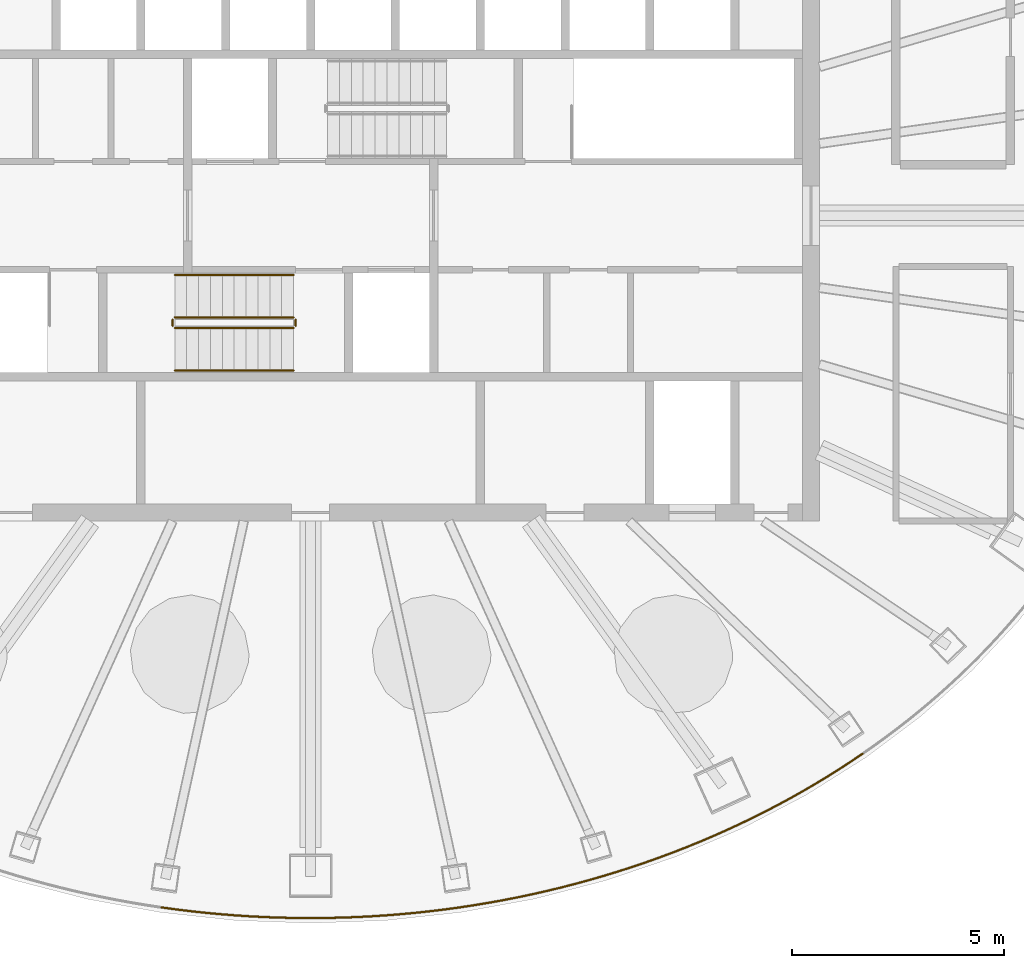
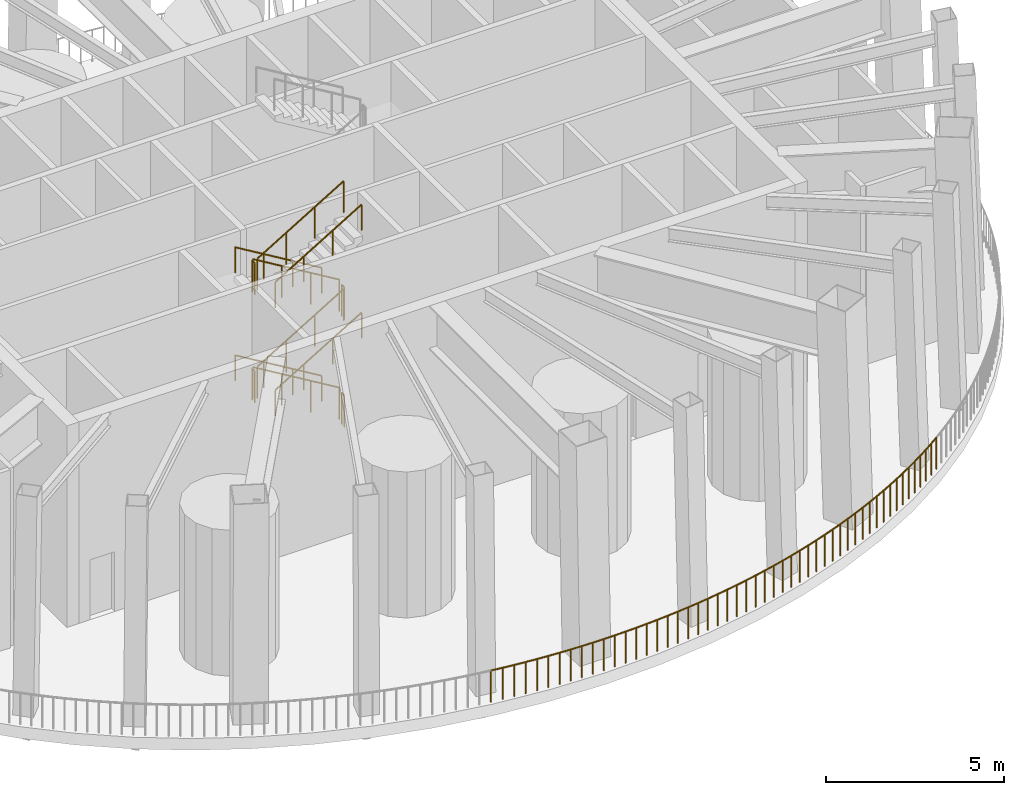
# One storey, part 7 of 12: 17 railings.
"""IFC4 building model written with IfcOpenShell, lengths in metres."""

from ifc_helpers import new_model, si_unit, direction, frame, origin, origin_2d, place, context, subcontext, project, spatial, circle, extrude, material, type_object, element, save


model = new_model("IFC4")

# Units and contexts
model_context = context("Model", 3, precision=1e-05, world=origin(), true_north=direction((0.0, 1.0)))
body_context = subcontext(model_context, "Body", "Model", "MODEL_VIEW")
ifc_project = project(units=[si_unit("LENGTHUNIT", "METRE"), si_unit("AREAUNIT", "SQUARE_METRE"), si_unit("VOLUMEUNIT", "CUBIC_METRE"), si_unit("PLANEANGLEUNIT", "RADIAN"), si_unit("MASSUNIT", "GRAM", prefix="KILO")], contexts=[model_context])

# Site, building, storey
site_placement = place(None, origin())
site = spatial("IfcSite", under=ifc_project, at=site_placement, CompositionType="ELEMENT")
building_placement = place(site_placement, origin())
building = spatial("IfcBuilding", under=site, at=building_placement, Name="Siaravel Broadcast Tower", CompositionType="ELEMENT")
storey_placement = place(building_placement, frame((0.0, 0.0, 265.199951171875)))
storey = spatial("IfcBuildingStorey", under=building, at=storey_placement, Name="L65", CompositionType="ELEMENT", Elevation=265.199951171875)

# Railings
ifc_material_1 = material(Name="Steel S355", Category="steel")
railing_type_1 = type_object("IfcRailingType", Name="Guard 1100", PredefinedType="GUARDRAIL", material=ifc_material_1)
railing_1_placement = place(storey_placement, frame((-3.51513671875, -16.308349609375, 0.0)))
element("IfcRailing", 1, at=railing_1_placement, inside=storey, type_object=railing_type_1, Name="L65 turbine slot guard 27", PredefinedType="GUARDRAIL", context=body_context, shape_type="SweptSolid", body=[
    extrude(circle(Radius=0.02392578125, at=origin_2d()), frame((0.0, 0.0, 1.076171875), z_axis=(0.990698738, -0.136073548, 0.0), x_axis=(0.136073548, 0.990698738, 0.0)), (0.0, 0.0, 1.0), 0.3515625),
    extrude(circle(Radius=0.02392578125, at=origin_2d()), frame((0.348388671875, -0.0478515625, 1.076171875), z_axis=(0.992688511, -0.120704263, 0.0), x_axis=(0.120704263, 0.992688511, 0.0)), (0.0, 0.0, 1.0), 0.35205078125),
    extrude(circle(Radius=0.02392578125, at=origin_2d()), frame((0.69775390625, -0.09033203125, 1.076171875), z_axis=(0.994217048, -0.107389298, 0.0), x_axis=(0.107389298, 0.994217048, 0.0)), (0.0, 0.0, 1.0), 0.352294921875),
    extrude(circle(Radius=0.02392578125, at=origin_2d()), frame((1.048095703125, -0.128173828125, 1.076171875), z_axis=(0.995686353, -0.092783012, 0.0), x_axis=(0.092783012, 0.995686353, 0.0)), (0.0, 0.0, 1.0), 0.3525390625),
    extrude(circle(Radius=0.02392578125, at=origin_2d()), frame((1.399169921875, -0.160888671875, 1.076171875), z_axis=(0.996880973, -0.078919744, 0.0), x_axis=(0.078919744, 0.996880973, 0.0)), (0.0, 0.0, 1.0), 0.352783203125),
    extrude(circle(Radius=0.02392578125, at=origin_2d()), frame((1.750732421875, -0.188720703125, 1.076171875), z_axis=(0.997929607, -0.06431563, 0.0), x_axis=(0.06431563, 0.997929607, 0.0)), (0.0, 0.0, 1.0), 0.35302734375),
    extrude(circle(Radius=0.02392578125, at=origin_2d()), frame((2.10302734375, -0.21142578125, 1.076171875), z_axis=(0.998759229, -0.049799629, 0.0), x_axis=(0.049799629, 0.998759229, 0.0)), (0.0, 0.0, 1.0), 0.35302734375),
    extrude(circle(Radius=0.02392578125, at=origin_2d()), frame((2.45556640625, -0.22900390625, 1.076171875), z_axis=(0.999378603, -0.035247793, 0.0), x_axis=(0.035247793, 0.999378603, 0.0)), (0.0, 0.0, 1.0), 0.353271484375),
    extrude(circle(Radius=0.02392578125, at=origin_2d()), frame((2.80859375, -0.241455078125, 1.076171875), z_axis=(0.999755559, -0.022109314, 0.0), x_axis=(0.022109314, 0.999755559, 0.0)), (0.0, 0.0, 1.0), 0.353271484375),
    extrude(circle(Radius=0.02392578125, at=origin_2d()), frame((3.161865234375, -0.249267578125, 1.076171875), z_axis=(0.999976121, -0.006910685, 0.0), x_axis=(0.006910685, 0.999976121, 0.0)), (0.0, 0.0, 1.0), 0.353271484375),
    extrude(circle(Radius=0.02099609375, at=origin_2d()), origin(), (0.0, 0.0, 1.0), 1.052001953125),
    extrude(circle(Radius=0.02099609375, at=origin_2d()), frame((0.348388671875, -0.0478515625, 0.0)), (0.0, 0.0, 1.0), 1.052001953125),
    extrude(circle(Radius=0.02099609375, at=origin_2d()), frame((0.69775390625, -0.09033203125, 0.0)), (0.0, 0.0, 1.0), 1.052001953125),
    extrude(circle(Radius=0.02099609375, at=origin_2d()), frame((1.048095703125, -0.128173828125, 0.0)), (0.0, 0.0, 1.0), 1.052001953125),
    extrude(circle(Radius=0.02099609375, at=origin_2d()), frame((1.399169921875, -0.160888671875, 0.0)), (0.0, 0.0, 1.0), 1.052001953125),
    extrude(circle(Radius=0.02099609375, at=origin_2d()), frame((1.750732421875, -0.188720703125, 0.0)), (0.0, 0.0, 1.0), 1.052001953125),
    extrude(circle(Radius=0.02099609375, at=origin_2d()), frame((2.10302734375, -0.21142578125, 0.0)), (0.0, 0.0, 1.0), 1.052001953125),
    extrude(circle(Radius=0.02099609375, at=origin_2d()), frame((2.45556640625, -0.22900390625, 0.0)), (0.0, 0.0, 1.0), 1.052001953125),
    extrude(circle(Radius=0.02099609375, at=origin_2d()), frame((2.80859375, -0.241455078125, 0.0)), (0.0, 0.0, 1.0), 1.052001953125),
    extrude(circle(Radius=0.02099609375, at=origin_2d()), frame((3.161865234375, -0.249267578125, 0.0)), (0.0, 0.0, 1.0), 1.052001953125),
    extrude(circle(Radius=0.02099609375, at=origin_2d()), frame((3.51513671875, -0.251708984375, 0.0)), (0.0, 0.0, 1.0), 1.052001953125),
])
railing_2_placement = place(storey_placement, frame((0.0, -16.56005859375, 0.0)))
element("IfcRailing", 2, at=railing_2_placement, inside=storey, type_object=railing_type_1, Name="L65 turbine slot guard 28", PredefinedType="GUARDRAIL", context=body_context, shape_type="SweptSolid", body=[
    extrude(circle(Radius=0.02392578125, at=origin_2d()), frame((0.0, 0.0, 1.076171875), z_axis=(0.999976121, 0.006910685, 0.0), x_axis=(-0.006910685, 0.999976121, 0.0)), (0.0, 0.0, 1.0), 0.353271484375),
    extrude(circle(Radius=0.02392578125, at=origin_2d()), frame((0.353271484375, 0.00244140625, 1.076171875), z_axis=(0.999755559, 0.022109314, 0.0), x_axis=(-0.022109314, 0.999755559, 0.0)), (0.0, 0.0, 1.0), 0.353271484375),
    extrude(circle(Radius=0.02392578125, at=origin_2d()), frame((0.70654296875, 0.01025390625, 1.076171875), z_axis=(0.999378603, 0.035247793, 0.0), x_axis=(-0.035247793, 0.999378603, 0.0)), (0.0, 0.0, 1.0), 0.353271484375),
    extrude(circle(Radius=0.02392578125, at=origin_2d()), frame((1.0595703125, 0.022705078125, 1.076171875), z_axis=(0.998759229, 0.049799629, 0.0), x_axis=(-0.049799629, 0.998759229, 0.0)), (0.0, 0.0, 1.0), 0.35302734375),
    extrude(circle(Radius=0.02392578125, at=origin_2d()), frame((1.412109375, 0.040283203125, 1.076171875), z_axis=(0.997929607, 0.06431563, 0.0), x_axis=(-0.06431563, 0.997929607, 0.0)), (0.0, 0.0, 1.0), 0.35302734375),
    extrude(circle(Radius=0.02392578125, at=origin_2d()), frame((1.764404296875, 0.06298828125, 1.076171875), z_axis=(0.996880973, 0.078919744, 0.0), x_axis=(-0.078919744, 0.996880973, 0.0)), (0.0, 0.0, 1.0), 0.352783203125),
    extrude(circle(Radius=0.02392578125, at=origin_2d()), frame((2.115966796875, 0.0908203125, 1.076171875), z_axis=(0.995686353, 0.092783012, 0.0), x_axis=(-0.092783012, 0.995686353, 0.0)), (0.0, 0.0, 1.0), 0.3525390625),
    extrude(circle(Radius=0.02392578125, at=origin_2d()), frame((2.467041015625, 0.12353515625, 1.076171875), z_axis=(0.994217048, 0.107389298, 0.0), x_axis=(-0.107389298, 0.994217048, 0.0)), (0.0, 0.0, 1.0), 0.352294921875),
    extrude(circle(Radius=0.02392578125, at=origin_2d()), frame((2.8173828125, 0.161376953125, 1.076171875), z_axis=(0.992688511, 0.120704263, 0.0), x_axis=(-0.120704263, 0.992688511, 0.0)), (0.0, 0.0, 1.0), 0.35205078125),
    extrude(circle(Radius=0.02392578125, at=origin_2d()), frame((3.166748046875, 0.203857421875, 1.076171875), z_axis=(0.990698738, 0.136073548, 0.0), x_axis=(-0.136073548, 0.990698738, 0.0)), (0.0, 0.0, 1.0), 0.3515625),
    extrude(circle(Radius=0.02099609375, at=origin_2d()), origin(), (0.0, 0.0, 1.0), 1.052001953125),
    extrude(circle(Radius=0.02099609375, at=origin_2d()), frame((0.353271484375, 0.00244140625, 0.0)), (0.0, 0.0, 1.0), 1.052001953125),
    extrude(circle(Radius=0.02099609375, at=origin_2d()), frame((0.70654296875, 0.01025390625, 0.0)), (0.0, 0.0, 1.0), 1.052001953125),
    extrude(circle(Radius=0.02099609375, at=origin_2d()), frame((1.0595703125, 0.022705078125, 0.0)), (0.0, 0.0, 1.0), 1.052001953125),
    extrude(circle(Radius=0.02099609375, at=origin_2d()), frame((1.412109375, 0.040283203125, 0.0)), (0.0, 0.0, 1.0), 1.052001953125),
    extrude(circle(Radius=0.02099609375, at=origin_2d()), frame((1.764404296875, 0.06298828125, 0.0)), (0.0, 0.0, 1.0), 1.052001953125),
    extrude(circle(Radius=0.02099609375, at=origin_2d()), frame((2.115966796875, 0.0908203125, 0.0)), (0.0, 0.0, 1.0), 1.052001953125),
    extrude(circle(Radius=0.02099609375, at=origin_2d()), frame((2.467041015625, 0.12353515625, 0.0)), (0.0, 0.0, 1.0), 1.052001953125),
    extrude(circle(Radius=0.02099609375, at=origin_2d()), frame((2.8173828125, 0.161376953125, 0.0)), (0.0, 0.0, 1.0), 1.052001953125),
    extrude(circle(Radius=0.02099609375, at=origin_2d()), frame((3.166748046875, 0.203857421875, 0.0)), (0.0, 0.0, 1.0), 1.052001953125),
    extrude(circle(Radius=0.02099609375, at=origin_2d()), frame((3.51513671875, 0.251708984375, 0.0)), (0.0, 0.0, 1.0), 1.052001953125),
])
railing_3_placement = place(storey_placement, frame((3.51513671875, -16.308349609375, 0.0)))
element("IfcRailing", 3, at=railing_3_placement, inside=storey, type_object=railing_type_1, Name="L65 turbine slot guard 29", PredefinedType="GUARDRAIL", context=body_context, shape_type="SweptSolid", body=[
    extrude(circle(Radius=0.02392578125, at=origin_2d()), frame((0.0, 0.0, 1.076171875), z_axis=(0.988674929, 0.150072934, 0.0), x_axis=(-0.150072934, 0.988674929, 0.0)), (0.0, 0.0, 1.0), 0.351318359375),
    extrude(circle(Radius=0.02392578125, at=origin_2d()), frame((0.347412109375, 0.052734375, 1.076171875), z_axis=(0.986450231, 0.164060785, 0.0), x_axis=(-0.164060785, 0.986450231, 0.0)), (0.0, 0.0, 1.0), 0.35107421875),
    extrude(circle(Radius=0.02392578125, at=origin_2d()), frame((0.69384765625, 0.1103515625, 1.076171875), z_axis=(0.983958985, 0.17839483, 0.0), x_axis=(-0.17839483, 0.983958985, 0.0)), (0.0, 0.0, 1.0), 0.350341796875),
    extrude(circle(Radius=0.02392578125, at=origin_2d()), frame((1.03857421875, 0.1728515625, 1.076171875), z_axis=(0.981298254, 0.192493474, 0.0), x_axis=(-0.192493474, 0.981298254, 0.0)), (0.0, 0.0, 1.0), 0.35009765625),
    extrude(circle(Radius=0.02392578125, at=origin_2d()), frame((1.382080078125, 0.240234375, 1.076171875), z_axis=(0.978289888, 0.207241153, 0.0), x_axis=(-0.207241153, 0.978289888, 0.0)), (0.0, 0.0, 1.0), 0.349853515625),
    extrude(circle(Radius=0.02392578125, at=origin_2d()), frame((1.724365234375, 0.312744140625, 1.076171875), z_axis=(0.975256407, 0.221076775, 0.0), x_axis=(-0.221076775, 0.975256407, 0.0)), (0.0, 0.0, 1.0), 0.348876953125),
    extrude(circle(Radius=0.02392578125, at=origin_2d()), frame((2.064697265625, 0.389892578125, 1.076171875), z_axis=(0.971927789, 0.23527935, 0.0), x_axis=(-0.23527935, 0.971927789, 0.0)), (0.0, 0.0, 1.0), 0.3486328125),
    extrude(circle(Radius=0.02392578125, at=origin_2d()), frame((2.403564453125, 0.471923828125, 1.076171875), z_axis=(0.968299226, 0.249793134, 0.0), x_axis=(-0.249793134, 0.968299226, 0.0)), (0.0, 0.0, 1.0), 0.347900390625),
    extrude(circle(Radius=0.02392578125, at=origin_2d()), frame((2.740478515625, 0.558837890625, 1.076171875), z_axis=(0.964438652, 0.264306803, 0.0), x_axis=(-0.264306803, 0.964438652, 0.0)), (0.0, 0.0, 1.0), 0.347412109375),
    extrude(circle(Radius=0.02392578125, at=origin_2d()), frame((3.075439453125, 0.650634765625, 1.076171875), z_axis=(0.960534561, 0.278160668, 0.0), x_axis=(-0.278160668, 0.960534561, 0.0)), (0.0, 0.0, 1.0), 0.3466796875),
    extrude(circle(Radius=0.02099609375, at=origin_2d()), origin(), (0.0, 0.0, 1.0), 1.052001953125),
    extrude(circle(Radius=0.02099609375, at=origin_2d()), frame((0.347412109375, 0.052734375, 0.0)), (0.0, 0.0, 1.0), 1.052001953125),
    extrude(circle(Radius=0.02099609375, at=origin_2d()), frame((0.69384765625, 0.1103515625, 0.0)), (0.0, 0.0, 1.0), 1.052001953125),
    extrude(circle(Radius=0.02099609375, at=origin_2d()), frame((1.03857421875, 0.1728515625, 0.0)), (0.0, 0.0, 1.0), 1.052001953125),
    extrude(circle(Radius=0.02099609375, at=origin_2d()), frame((1.382080078125, 0.240234375, 0.0)), (0.0, 0.0, 1.0), 1.052001953125),
    extrude(circle(Radius=0.02099609375, at=origin_2d()), frame((1.724365234375, 0.312744140625, 0.0)), (0.0, 0.0, 1.0), 1.052001953125),
    extrude(circle(Radius=0.02099609375, at=origin_2d()), frame((2.064697265625, 0.389892578125, 0.0)), (0.0, 0.0, 1.0), 1.052001953125),
    extrude(circle(Radius=0.02099609375, at=origin_2d()), frame((2.403564453125, 0.471923828125, 0.0)), (0.0, 0.0, 1.0), 1.052001953125),
    extrude(circle(Radius=0.02099609375, at=origin_2d()), frame((2.740478515625, 0.558837890625, 0.0)), (0.0, 0.0, 1.0), 1.052001953125),
    extrude(circle(Radius=0.02099609375, at=origin_2d()), frame((3.075439453125, 0.650634765625, 0.0)), (0.0, 0.0, 1.0), 1.052001953125),
    extrude(circle(Radius=0.02099609375, at=origin_2d()), frame((3.408447265625, 0.7470703125, 0.0)), (0.0, 0.0, 1.0), 1.052001953125),
])
railing_4_placement = place(storey_placement, frame((6.923583984375, -15.561279296875, 0.0)))
element("IfcRailing", 4, at=railing_4_placement, inside=storey, type_object=railing_type_1, Name="L65 turbine slot guard 30", PredefinedType="GUARDRAIL", context=body_context, shape_type="SweptSolid", body=[
    extrude(circle(Radius=0.02392578125, at=origin_2d()), frame((0.0, 0.0, 1.076171875), z_axis=(0.956417251, 0.292003497, 0.0), x_axis=(-0.292003497, 0.956417251, 0.0)), (0.0, 0.0, 1.0), 0.34619140625),
    extrude(circle(Radius=0.02392578125, at=origin_2d()), frame((0.3310546875, 0.10107421875, 1.076171875), z_axis=(0.951748596, 0.306878819, 0.0), x_axis=(-0.306878819, 0.951748596, 0.0)), (0.0, 0.0, 1.0), 0.34521484375),
    extrude(circle(Radius=0.02392578125, at=origin_2d()), frame((0.65966796875, 0.20703125, 1.076171875), z_axis=(0.9471862, 0.320684117, 0.0), x_axis=(-0.320684117, 0.9471862, 0.0)), (0.0, 0.0, 1.0), 0.344970703125),
    extrude(circle(Radius=0.02392578125, at=origin_2d()), frame((0.986328125, 0.317626953125, 1.076171875), z_axis=(0.942174841, 0.335121722, 0.0), x_axis=(-0.335121722, 0.942174841, 0.0)), (0.0, 0.0, 1.0), 0.34375),
    extrude(circle(Radius=0.02392578125, at=origin_2d()), frame((1.310302734375, 0.432861328125, 1.076171875), z_axis=(0.936999941, 0.349329515, 0.0), x_axis=(-0.349329515, 0.936999941, 0.0)), (0.0, 0.0, 1.0), 0.34326171875),
    extrude(circle(Radius=0.02392578125, at=origin_2d()), frame((1.6318359375, 0.552734375, 1.076171875), z_axis=(0.931495114, 0.363753835, 0.0), x_axis=(-0.363753835, 0.931495114, 0.0)), (0.0, 0.0, 1.0), 0.34228515625),
    extrude(circle(Radius=0.02392578125, at=origin_2d()), frame((1.95068359375, 0.67724609375, 1.076171875), z_axis=(0.925990537, 0.377546721, 0.0), x_axis=(-0.377546721, 0.925990537, 0.0)), (0.0, 0.0, 1.0), 0.341552734375),
    extrude(circle(Radius=0.02392578125, at=origin_2d()), frame((2.266845703125, 0.80615234375, 1.076171875), z_axis=(0.919885104, 0.392187959, 0.0), x_axis=(-0.392187959, 0.919885104, 0.0)), (0.0, 0.0, 1.0), 0.340576171875),
    extrude(circle(Radius=0.02392578125, at=origin_2d()), frame((2.580078125, 0.939697265625, 1.076171875), z_axis=(0.91390041, 0.405938468, 0.0), x_axis=(-0.405938468, 0.91390041, 0.0)), (0.0, 0.0, 1.0), 0.33984375),
    extrude(circle(Radius=0.02392578125, at=origin_2d()), frame((2.890625, 1.07763671875, 1.076171875), z_axis=(0.907558421, 0.419925841, 0.0), x_axis=(-0.419925841, 0.907558421, 0.0)), (0.0, 0.0, 1.0), 0.3388671875),
    extrude(circle(Radius=0.02099609375, at=origin_2d()), origin(), (0.0, 0.0, 1.0), 1.052001953125),
    extrude(circle(Radius=0.02099609375, at=origin_2d()), frame((0.3310546875, 0.10107421875, 0.0)), (0.0, 0.0, 1.0), 1.052001953125),
    extrude(circle(Radius=0.02099609375, at=origin_2d()), frame((0.65966796875, 0.20703125, 0.0)), (0.0, 0.0, 1.0), 1.052001953125),
    extrude(circle(Radius=0.02099609375, at=origin_2d()), frame((0.986328125, 0.317626953125, 0.0)), (0.0, 0.0, 1.0), 1.052001953125),
    extrude(circle(Radius=0.02099609375, at=origin_2d()), frame((1.310302734375, 0.432861328125, 0.0)), (0.0, 0.0, 1.0), 1.052001953125),
    extrude(circle(Radius=0.02099609375, at=origin_2d()), frame((1.6318359375, 0.552734375, 0.0)), (0.0, 0.0, 1.0), 1.052001953125),
    extrude(circle(Radius=0.02099609375, at=origin_2d()), frame((1.95068359375, 0.67724609375, 0.0)), (0.0, 0.0, 1.0), 1.052001953125),
    extrude(circle(Radius=0.02099609375, at=origin_2d()), frame((2.266845703125, 0.80615234375, 0.0)), (0.0, 0.0, 1.0), 1.052001953125),
    extrude(circle(Radius=0.02099609375, at=origin_2d()), frame((2.580078125, 0.939697265625, 0.0)), (0.0, 0.0, 1.0), 1.052001953125),
    extrude(circle(Radius=0.02099609375, at=origin_2d()), frame((2.890625, 1.07763671875, 0.0)), (0.0, 0.0, 1.0), 1.052001953125),
    extrude(circle(Radius=0.02099609375, at=origin_2d()), frame((3.1982421875, 1.219970703125, 0.0)), (0.0, 0.0, 1.0), 1.052001953125),
])
railing_5_placement = place(storey_placement, frame((10.121826171875, -14.34130859375, 0.0)))
element("IfcRailing", 5, at=railing_5_placement, inside=storey, type_object=railing_type_1, Name="L65 turbine slot guard 31", PredefinedType="GUARDRAIL", context=body_context, shape_type="SweptSolid", body=[
    extrude(circle(Radius=0.02392578125, at=origin_2d()), frame((0.0, 0.0, 1.076171875), z_axis=(0.900834276, 0.434163111, 0.0), x_axis=(-0.434163111, 0.900834276, 0.0)), (0.0, 0.0, 1.0), 0.337890625),
    extrude(circle(Radius=0.02392578125, at=origin_2d()), frame((0.304443359375, 0.146728515625, 1.076171875), z_axis=(0.893991735, 0.448083449, 0.0), x_axis=(-0.448083449, 0.893991735, 0.0)), (0.0, 0.0, 1.0), 0.336669921875),
    extrude(circle(Radius=0.02392578125, at=origin_2d()), frame((0.60546875, 0.297607421875, 1.076171875), z_axis=(0.886895484, 0.461970129, 0.0), x_axis=(-0.461970129, 0.886895484, 0.0)), (0.0, 0.0, 1.0), 0.336181640625),
    extrude(circle(Radius=0.02392578125, at=origin_2d()), frame((0.903564453125, 0.452880859375, 1.076171875), z_axis=(0.879533447, 0.475837068, 0.0), x_axis=(-0.475837068, 0.879533447, 0.0)), (0.0, 0.0, 1.0), 0.3349609375),
    extrude(circle(Radius=0.02392578125, at=origin_2d()), frame((1.1982421875, 0.6123046875, 1.076171875), z_axis=(0.871419303, 0.490538886, 0.0), x_axis=(-0.490538886, 0.871419303, 0.0)), (0.0, 0.0, 1.0), 0.333984375),
    extrude(circle(Radius=0.02392578125, at=origin_2d()), frame((1.4892578125, 0.776123046875, 1.076171875), z_axis=(0.863512914, 0.504326727, 0.0), x_axis=(-0.504326727, 0.863512914, 0.0)), (0.0, 0.0, 1.0), 0.3330078125),
    extrude(circle(Radius=0.02392578125, at=origin_2d()), frame((1.77685546875, 0.944091796875, 1.076171875), z_axis=(0.855671422, 0.517519485, 0.0), x_axis=(-0.517519485, 0.855671422, 0.0)), (0.0, 0.0, 1.0), 0.33203125),
    extrude(circle(Radius=0.02392578125, at=origin_2d()), frame((2.06103515625, 1.115966796875, 1.076171875), z_axis=(0.847168107, 0.531324945, 0.0), x_axis=(-0.531324945, 0.847168107, 0.0)), (0.0, 0.0, 1.0), 0.330810546875),
    extrude(circle(Radius=0.02392578125, at=origin_2d()), frame((2.34130859375, 1.291748046875, 1.076171875), z_axis=(0.837698917, 0.546132333, 0.0), x_axis=(-0.546132333, 0.837698917, 0.0)), (0.0, 0.0, 1.0), 0.329833984375),
    extrude(circle(Radius=0.02392578125, at=origin_2d()), frame((2.61767578125, 1.471923828125, 1.076171875), z_axis=(0.829528203, 0.558464824, 0.0), x_axis=(-0.558464824, 0.829528203, 0.0)), (0.0, 0.0, 1.0), 0.328857421875),
    extrude(circle(Radius=0.02099609375, at=origin_2d()), origin(), (0.0, 0.0, 1.0), 1.052001953125),
    extrude(circle(Radius=0.02099609375, at=origin_2d()), frame((0.304443359375, 0.146728515625, 0.0)), (0.0, 0.0, 1.0), 1.052001953125),
    extrude(circle(Radius=0.02099609375, at=origin_2d()), frame((0.60546875, 0.297607421875, 0.0)), (0.0, 0.0, 1.0), 1.052001953125),
    extrude(circle(Radius=0.02099609375, at=origin_2d()), frame((0.903564453125, 0.452880859375, 0.0)), (0.0, 0.0, 1.0), 1.052001953125),
    extrude(circle(Radius=0.02099609375, at=origin_2d()), frame((1.1982421875, 0.6123046875, 0.0)), (0.0, 0.0, 1.0), 1.052001953125),
    extrude(circle(Radius=0.02099609375, at=origin_2d()), frame((1.4892578125, 0.776123046875, 0.0)), (0.0, 0.0, 1.0), 1.052001953125),
    extrude(circle(Radius=0.02099609375, at=origin_2d()), frame((1.77685546875, 0.944091796875, 0.0)), (0.0, 0.0, 1.0), 1.052001953125),
    extrude(circle(Radius=0.02099609375, at=origin_2d()), frame((2.06103515625, 1.115966796875, 0.0)), (0.0, 0.0, 1.0), 1.052001953125),
    extrude(circle(Radius=0.02099609375, at=origin_2d()), frame((2.34130859375, 1.291748046875, 0.0)), (0.0, 0.0, 1.0), 1.052001953125),
    extrude(circle(Radius=0.02099609375, at=origin_2d()), frame((2.61767578125, 1.471923828125, 0.0)), (0.0, 0.0, 1.0), 1.052001953125),
    extrude(circle(Radius=0.02099609375, at=origin_2d()), frame((2.890380859375, 1.655517578125, 0.0)), (0.0, 0.0, 1.0), 1.052001953125),
])
ifc_material_2 = material(Name="Stainless steel 316L", Category="steel")
railing_type_2 = type_object("IfcRailingType", Name="Stair guard 1100", PredefinedType="GUARDRAIL", material=ifc_material_2)
railing_6_placement = place(storey_placement, frame((-0.39990234375, -2.39990234375, 0.168212890625)))
element("IfcRailing", 6, at=railing_6_placement, inside=storey, type_object=railing_type_2, Name="L65 ST-C2 stair guard 1", PredefinedType="GUARDRAIL", context=body_context, shape_type="SweptSolid", body=[
    extrude(circle(Radius=0.02392578125, at=origin_2d()), frame((0.0, 0.0, 1.076171875), z_axis=(-0.857242211, 0.0, 0.514913383), x_axis=(0.0, -1.0, 0.0)), (0.0, 0.0, 1.0), 3.266357421875),
    extrude(circle(Radius=0.02099609375, at=origin_2d()), origin(), (0.0, 0.0, 1.0), 1.052001953125),
    extrude(circle(Radius=0.02099609375, at=origin_2d()), frame((-0.933349609375, 0.0, 0.560546875)), (0.0, 0.0, 1.0), 1.052001953125),
    extrude(circle(Radius=0.02099609375, at=origin_2d()), frame((-1.86669921875, 0.0, 1.121337890625)), (0.0, 0.0, 1.0), 1.052001953125),
    extrude(circle(Radius=0.02099609375, at=origin_2d()), frame((-2.800048828125, 0.0, 1.681884765625)), (0.0, 0.0, 1.0), 1.052001953125),
])
railing_7_placement = place(storey_placement, frame((-3.25, -2.449951171875, 1.85009765625)))
element("IfcRailing", 7, at=railing_7_placement, inside=storey, type_object=railing_type_2, Name="L65 ST-C2 stair guard 2", PredefinedType="GUARDRAIL", context=body_context, shape_type="SweptSolid", body=[
    extrude(circle(Radius=0.02392578125, at=origin_2d()), frame((0.0, 0.0, 1.076171875), z_axis=(0.0, -1.0, 0.0), x_axis=(1.0, 0.0, 0.0)), (0.0, 0.0, 1.0), 0.150146484375),
    extrude(circle(Radius=0.02099609375, at=origin_2d()), origin(), (0.0, 0.0, 1.0), 1.052001953125),
    extrude(circle(Radius=0.02099609375, at=origin_2d()), frame((0.0, -0.150146484375, 0.0)), (0.0, 0.0, 1.0), 1.052001953125),
])
railing_8_placement = place(storey_placement, frame((-3.199951171875, -2.64990234375, 2.018310546875)))
element("IfcRailing", 8, at=railing_8_placement, inside=storey, type_object=railing_type_2, Name="L65 ST-C2 stair guard 3", PredefinedType="GUARDRAIL", context=body_context, shape_type="SweptSolid", body=[
    extrude(circle(Radius=0.02392578125, at=origin_2d()), frame((0.0, 0.0, 1.076171875), z_axis=(0.857275203, 0.0, 0.514858453), x_axis=(0.0, 1.0, 0.0)), (0.0, 0.0, 1.0), 3.26611328125),
    extrude(circle(Radius=0.02099609375, at=origin_2d()), origin(), (0.0, 0.0, 1.0), 1.052001953125),
    extrude(circle(Radius=0.02099609375, at=origin_2d()), frame((0.933349609375, 0.0, 0.560546875)), (0.0, 0.0, 1.0), 1.052001953125),
    extrude(circle(Radius=0.02099609375, at=origin_2d()), frame((1.86669921875, 0.0, 1.12109375)), (0.0, 0.0, 1.0), 1.052001953125),
    extrude(circle(Radius=0.02099609375, at=origin_2d()), frame((2.800048828125, 0.0, 1.681640625)), (0.0, 0.0, 1.0), 1.052001953125),
])
railing_9_placement = place(storey_placement, frame((-0.35009765625, -2.449951171875, 3.699951171875)))
element("IfcRailing", 9, at=railing_9_placement, inside=storey, type_object=railing_type_2, Name="L65 ST-C2 stair guard 4", PredefinedType="GUARDRAIL", context=body_context, shape_type="SweptSolid", body=[
    extrude(circle(Radius=0.02392578125, at=origin_2d()), frame((0.0, 0.0, 1.076171875), z_axis=(0.0, -1.0, 0.0), x_axis=(1.0, 0.0, 0.0)), (0.0, 0.0, 1.0), 0.150146484375),
    extrude(circle(Radius=0.02099609375, at=origin_2d()), origin(), (0.0, 0.0, 1.0), 1.052001953125),
    extrude(circle(Radius=0.02099609375, at=origin_2d()), frame((0.0, -0.150146484375, 0.0)), (0.0, 0.0, 1.0), 1.052001953125),
])
railing_10_placement = place(storey_placement, frame((-0.39990234375, -2.39990234375, 3.8681640625)))
element("IfcRailing", 10, at=railing_10_placement, inside=storey, type_object=railing_type_2, Name="L65 ST-C2 stair guard 5", PredefinedType="GUARDRAIL", context=body_context, shape_type="SweptSolid", body=[
    extrude(circle(Radius=0.02392578125, at=origin_2d()), frame((0.0, 0.0, 1.076171875), z_axis=(-0.857242211, 0.0, 0.514913383), x_axis=(0.0, -1.0, 0.0)), (0.0, 0.0, 1.0), 3.266357421875),
    extrude(circle(Radius=0.02099609375, at=origin_2d()), origin(), (0.0, 0.0, 1.0), 1.052001953125),
    extrude(circle(Radius=0.02099609375, at=origin_2d()), frame((-0.933349609375, 0.0, 0.560546875)), (0.0, 0.0, 1.0), 1.052001953125),
    extrude(circle(Radius=0.02099609375, at=origin_2d()), frame((-1.86669921875, 0.0, 1.121337890625)), (0.0, 0.0, 1.0), 1.052001953125),
    extrude(circle(Radius=0.02099609375, at=origin_2d()), frame((-2.800048828125, 0.0, 1.681884765625)), (0.0, 0.0, 1.0), 1.052001953125),
])
railing_11_placement = place(storey_placement, frame((-3.25, -2.449951171875, 5.550048828125)))
element("IfcRailing", 11, at=railing_11_placement, inside=storey, type_object=railing_type_2, Name="L65 ST-C2 stair guard 6", PredefinedType="GUARDRAIL", context=body_context, shape_type="SweptSolid", body=[
    extrude(circle(Radius=0.02392578125, at=origin_2d()), frame((0.0, 0.0, 1.076171875), z_axis=(0.0, -1.0, 0.0), x_axis=(1.0, 0.0, 0.0)), (0.0, 0.0, 1.0), 0.150146484375),
    extrude(circle(Radius=0.02099609375, at=origin_2d()), origin(), (0.0, 0.0, 1.0), 1.052001953125),
    extrude(circle(Radius=0.02099609375, at=origin_2d()), frame((0.0, -0.150146484375, 0.0)), (0.0, 0.0, 1.0), 1.052001953125),
])
railing_12_placement = place(storey_placement, frame((-3.199951171875, -2.64990234375, 5.71826171875)))
element("IfcRailing", 12, at=railing_12_placement, inside=storey, type_object=railing_type_2, Name="L65 ST-C2 stair guard 7", PredefinedType="GUARDRAIL", context=body_context, shape_type="SweptSolid", body=[
    extrude(circle(Radius=0.02392578125, at=origin_2d()), frame((0.0, 0.0, 1.076171875), z_axis=(0.857242211, 0.0, 0.514913383), x_axis=(0.0, 1.0, 0.0)), (0.0, 0.0, 1.0), 3.266357421875),
    extrude(circle(Radius=0.02099609375, at=origin_2d()), origin(), (0.0, 0.0, 1.0), 1.052001953125),
    extrude(circle(Radius=0.02099609375, at=origin_2d()), frame((0.933349609375, 0.0, 0.560546875)), (0.0, 0.0, 1.0), 1.052001953125),
    extrude(circle(Radius=0.02099609375, at=origin_2d()), frame((1.86669921875, 0.0, 1.121337890625)), (0.0, 0.0, 1.0), 1.052001953125),
    extrude(circle(Radius=0.02099609375, at=origin_2d()), frame((2.800048828125, 0.0, 1.681884765625)), (0.0, 0.0, 1.0), 1.052001953125),
])
railing_13_placement = place(storey_placement, frame((-0.35009765625, -2.449951171875, 0.0)))
element("IfcRailing", 13, at=railing_13_placement, inside=storey, type_object=railing_type_2, Name="L65 ST-C2 stair guard 8", PredefinedType="GUARDRAIL", context=body_context, shape_type="SweptSolid", body=[
    extrude(circle(Radius=0.02392578125, at=origin_2d()), frame((0.0, 0.0, 1.076171875), z_axis=(0.0, -1.0, 0.0), x_axis=(1.0, 0.0, 0.0)), (0.0, 0.0, 1.0), 0.150146484375),
    extrude(circle(Radius=0.02099609375, at=origin_2d()), origin(), (0.0, 0.0, 1.0), 1.052001953125),
    extrude(circle(Radius=0.02099609375, at=origin_2d()), frame((0.0, -0.150146484375, 0.0)), (0.0, 0.0, 1.0), 1.052001953125),
])
railing_type_3 = type_object("IfcRailingType", Name="Stair handrail 900", PredefinedType="HANDRAIL", material=ifc_material_2)
railing_14_placement = place(storey_placement, frame((-0.39990234375, -1.39990234375, 0.168212890625)))
element("IfcRailing", 14, at=railing_14_placement, inside=storey, type_object=railing_type_3, Name="L65 ST-C2 stair handrail 1", PredefinedType="HANDRAIL", context=body_context, shape_type="SweptSolid", body=[
    extrude(circle(Radius=0.02392578125, at=origin_2d()), frame((0.0, 0.0, 0.8759765625), z_axis=(-0.857242211, 0.0, 0.514913383), x_axis=(0.0, -1.0, 0.0)), (0.0, 0.0, 1.0), 3.266357421875),
    extrude(circle(Radius=0.02099609375, at=origin_2d()), origin(), (0.0, 0.0, 1.0), 0.851806640625),
    extrude(circle(Radius=0.02099609375, at=origin_2d()), frame((-0.933349609375, 0.0, 0.560546875)), (0.0, 0.0, 1.0), 0.851806640625),
    extrude(circle(Radius=0.02099609375, at=origin_2d()), frame((-1.86669921875, 0.0, 1.121337890625)), (0.0, 0.0, 1.0), 0.851806640625),
    extrude(circle(Radius=0.02099609375, at=origin_2d()), frame((-2.800048828125, 0.0, 1.681884765625)), (0.0, 0.0, 1.0), 0.851806640625),
])
railing_15_placement = place(storey_placement, frame((-3.199951171875, -3.64990234375, 2.018310546875)))
element("IfcRailing", 15, at=railing_15_placement, inside=storey, type_object=railing_type_3, Name="L65 ST-C2 stair handrail 2", PredefinedType="HANDRAIL", context=body_context, shape_type="SweptSolid", body=[
    extrude(circle(Radius=0.02392578125, at=origin_2d()), frame((0.0, 0.0, 0.8759765625), z_axis=(0.857275203, 0.0, 0.514858453), x_axis=(0.0, 1.0, 0.0)), (0.0, 0.0, 1.0), 3.26611328125),
    extrude(circle(Radius=0.02099609375, at=origin_2d()), origin(), (0.0, 0.0, 1.0), 0.851806640625),
    extrude(circle(Radius=0.02099609375, at=origin_2d()), frame((0.933349609375, 0.0, 0.560546875)), (0.0, 0.0, 1.0), 0.851806640625),
    extrude(circle(Radius=0.02099609375, at=origin_2d()), frame((1.86669921875, 0.0, 1.12109375)), (0.0, 0.0, 1.0), 0.851806640625),
    extrude(circle(Radius=0.02099609375, at=origin_2d()), frame((2.800048828125, 0.0, 1.681640625)), (0.0, 0.0, 1.0), 0.851806640625),
])
railing_16_placement = place(storey_placement, frame((-0.39990234375, -1.39990234375, 3.8681640625)))
element("IfcRailing", 16, at=railing_16_placement, inside=storey, type_object=railing_type_3, Name="L65 ST-C2 stair handrail 3", PredefinedType="HANDRAIL", context=body_context, shape_type="SweptSolid", body=[
    extrude(circle(Radius=0.02392578125, at=origin_2d()), frame((0.0, 0.0, 0.8759765625), z_axis=(-0.857242211, 0.0, 0.514913383), x_axis=(0.0, -1.0, 0.0)), (0.0, 0.0, 1.0), 3.266357421875),
    extrude(circle(Radius=0.02099609375, at=origin_2d()), origin(), (0.0, 0.0, 1.0), 0.851806640625),
    extrude(circle(Radius=0.02099609375, at=origin_2d()), frame((-0.933349609375, 0.0, 0.560546875)), (0.0, 0.0, 1.0), 0.851806640625),
    extrude(circle(Radius=0.02099609375, at=origin_2d()), frame((-1.86669921875, 0.0, 1.121337890625)), (0.0, 0.0, 1.0), 0.851806640625),
    extrude(circle(Radius=0.02099609375, at=origin_2d()), frame((-2.800048828125, 0.0, 1.681884765625)), (0.0, 0.0, 1.0), 0.851806640625),
])
railing_17_placement = place(storey_placement, frame((-3.199951171875, -3.64990234375, 5.71826171875)))
element("IfcRailing", 17, at=railing_17_placement, inside=storey, type_object=railing_type_3, Name="L65 ST-C2 stair handrail 4", PredefinedType="HANDRAIL", context=body_context, shape_type="SweptSolid", body=[
    extrude(circle(Radius=0.02392578125, at=origin_2d()), frame((0.0, 0.0, 0.8759765625), z_axis=(0.857242211, 0.0, 0.514913383), x_axis=(0.0, 1.0, 0.0)), (0.0, 0.0, 1.0), 3.266357421875),
    extrude(circle(Radius=0.02099609375, at=origin_2d()), origin(), (0.0, 0.0, 1.0), 0.851806640625),
    extrude(circle(Radius=0.02099609375, at=origin_2d()), frame((0.933349609375, 0.0, 0.560546875)), (0.0, 0.0, 1.0), 0.851806640625),
    extrude(circle(Radius=0.02099609375, at=origin_2d()), frame((1.86669921875, 0.0, 1.121337890625)), (0.0, 0.0, 1.0), 0.851806640625),
    extrude(circle(Radius=0.02099609375, at=origin_2d()), frame((2.800048828125, 0.0, 1.681884765625)), (0.0, 0.0, 1.0), 0.851806640625),
])

save(model, "model.ifc")
